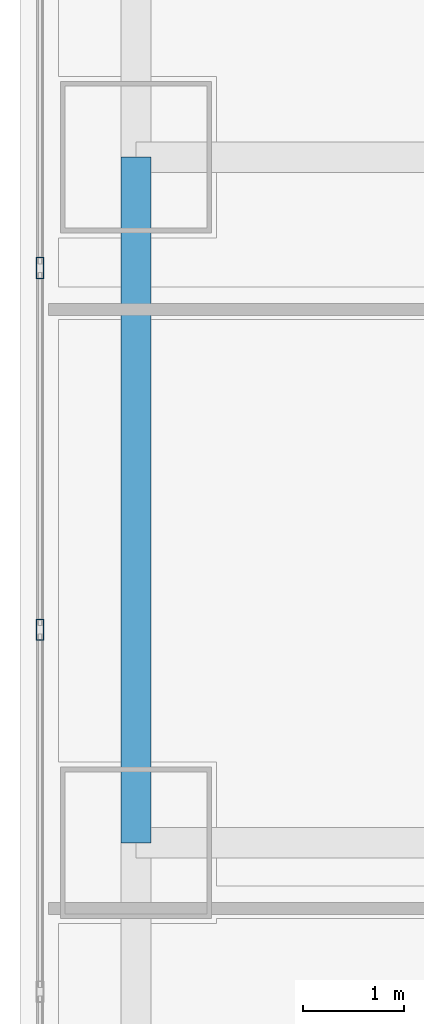
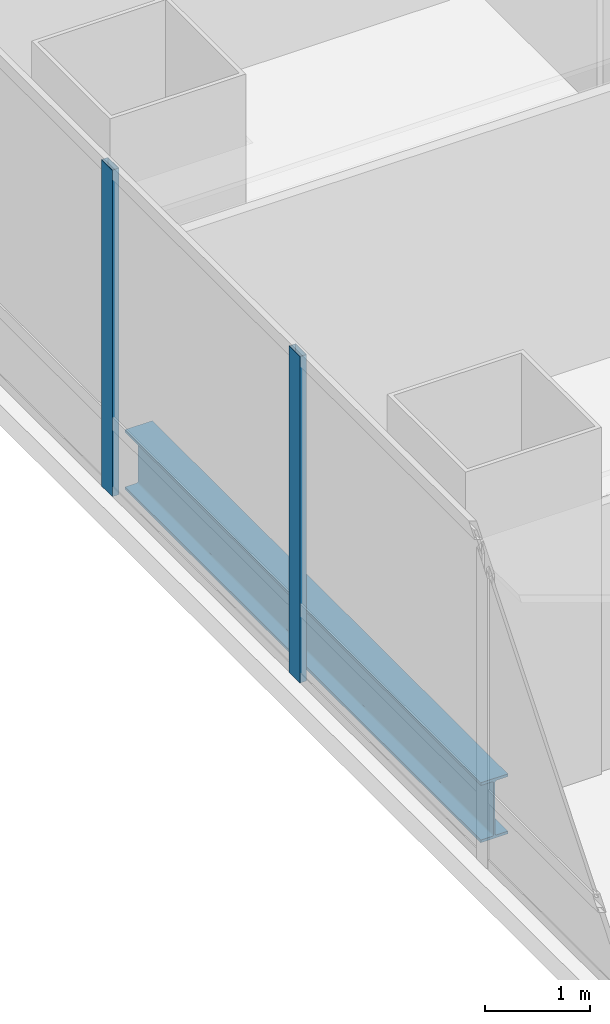
# One storey, part 9 of 34: 2 members, 1 beam, 1 element without a shape of its own.
"""IFC4 building model written with IfcOpenShell, lengths in metres."""

from ifc_helpers import new_model, si_unit, direction, frame, origin, origin_2d, place, context, subcontext, project, spatial, hollow_rectangle, i_section, extrude, material, material_profile, profile_set, type_object, element, aggregate, save


model = new_model("IFC4")

# Units and contexts
model_context = context("Model", 3, precision=1e-05, world=origin(), true_north=direction((0.0, 1.0)))
body_context = subcontext(model_context, "Body", "Model", "MODEL_VIEW")
ifc_project = project(units=[si_unit("LENGTHUNIT", "METRE"), si_unit("AREAUNIT", "SQUARE_METRE"), si_unit("VOLUMEUNIT", "CUBIC_METRE"), si_unit("PLANEANGLEUNIT", "RADIAN"), si_unit("MASSUNIT", "GRAM", prefix="KILO")], contexts=[model_context])

# Site, building, storey
site_placement = place(None, origin())
site = spatial("IfcSite", under=ifc_project, at=site_placement, CompositionType="ELEMENT")
building_placement = place(site_placement, origin())
building = spatial("IfcBuilding", under=site, at=building_placement, Name="Punatoya Terracotta Tower", CompositionType="ELEMENT")
storey_placement = place(building_placement, frame((0.0, 0.0, 117.300048828125)))
storey = spatial("IfcBuildingStorey", under=building, at=storey_placement, Name="L27", CompositionType="ELEMENT", Elevation=117.300048828125)

# Beam
ifc_material_1 = material(Name="Steel S355", Category="steel")
ifc_material_profile_1 = material_profile(ifc_material_1, i_section(OverallWidth=0.300048828125, OverallDepth=0.699951171875, WebThickness=0.01708984375, FlangeThickness=0.031982421875, FilletRadius=0.01806640625, at=origin_2d()))
ifc_profile_set_1 = profile_set([ifc_material_profile_1], Name="Steel S355")
beam_type = type_object("IfcBeamType", Name="BM-PRI-700", PredefinedType="BEAM", material=ifc_profile_set_1)
beam_placement = place(storey_placement, frame((-19.10009765625, -3.39990234375, -0.590087890625), z_axis=(0.0, 1.0, 0.0), x_axis=(-1.0, 0.0, 0.0)))
element("IfcBeam", 1, at=beam_placement, inside=storey, type_object=beam_type, Name="BM-L27-RG-W2", PredefinedType="BEAM", context=body_context, shape_type="SweptSolid", body=[
    extrude(i_section(OverallWidth=0.300048828125, OverallDepth=0.699951171875, WebThickness=0.01708984375, FlangeThickness=0.031982421875, FilletRadius=0.01806640625, at=origin_2d()), origin(), (0.0, 0.0, 1.0), 6.7998046875),
])

# Curtain wall, members
ifc_material_2 = material(Name="Aluminium 6063-T6 + Double Low-E Glass", Category="aluminium")
curtain_wall_type = type_object("IfcCurtainWallType", Name="CW-M1", PredefinedType="NOTDEFINED", material=ifc_material_2)
curtain_wall_placement = place(storey_placement, origin())
curtain_wall = element("IfcCurtainWall", 2, at=curtain_wall_placement, inside=storey, type_object=curtain_wall_type, Name="L27 Curtain Wall CW-L27-W12-1", PredefinedType="NOTDEFINED")
ifc_material_3 = material(Name="Aluminium 6063-T6", Category="aluminium")
ifc_material_profile_2 = material_profile(ifc_material_3, hollow_rectangle(XDim=0.074951171875, YDim=0.2099609375, WallThickness=0.00439453125, at=origin_2d()))
ifc_profile_set_2 = profile_set([ifc_material_profile_2], Name="Aluminium 6063-T6")
member_type = type_object("IfcMemberType", Name="CW-MUL-M1", PredefinedType="MULLION", material=ifc_profile_set_2)
member_1_placement = place(storey_placement, frame((-20.050048828125, 2.2998046875, 0.0), z_axis=(0.0, 0.0, 1.0), x_axis=(1.0, 0.0, 0.0)))
member_1 = element("IfcMember", 3, at=member_1_placement, type_object=member_type, Name="CW-L27-W12-1 Mullion 05", PredefinedType="MULLION", context=body_context, shape_type="SweptSolid", body=[
    extrude(hollow_rectangle(XDim=0.074951171875, YDim=0.2099609375, WallThickness=0.00439453125, at=origin_2d()), origin(), (0.0, 0.0, 1.0), 3.81005859375),
])
member_2_placement = place(storey_placement, frame((-20.050048828125, -1.28759765625, 0.0), z_axis=(0.0, 0.0, 1.0), x_axis=(1.0, 0.0, 0.0)))
member_2 = element("IfcMember", 4, at=member_2_placement, type_object=member_type, Name="CW-L27-W12-1 Mullion 06", PredefinedType="MULLION", context=body_context, shape_type="SweptSolid", body=[
    extrude(hollow_rectangle(XDim=0.074951171875, YDim=0.2099609375, WallThickness=0.00439453125, at=origin_2d()), origin(), (0.0, 0.0, 1.0), 3.81005859375),
])
aggregate(curtain_wall, [member_1, member_2])

save(model, "model.ifc")
